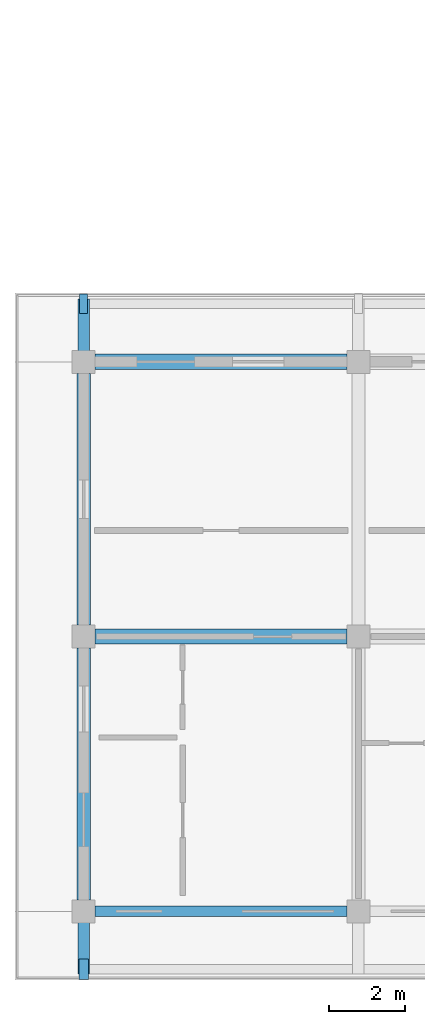
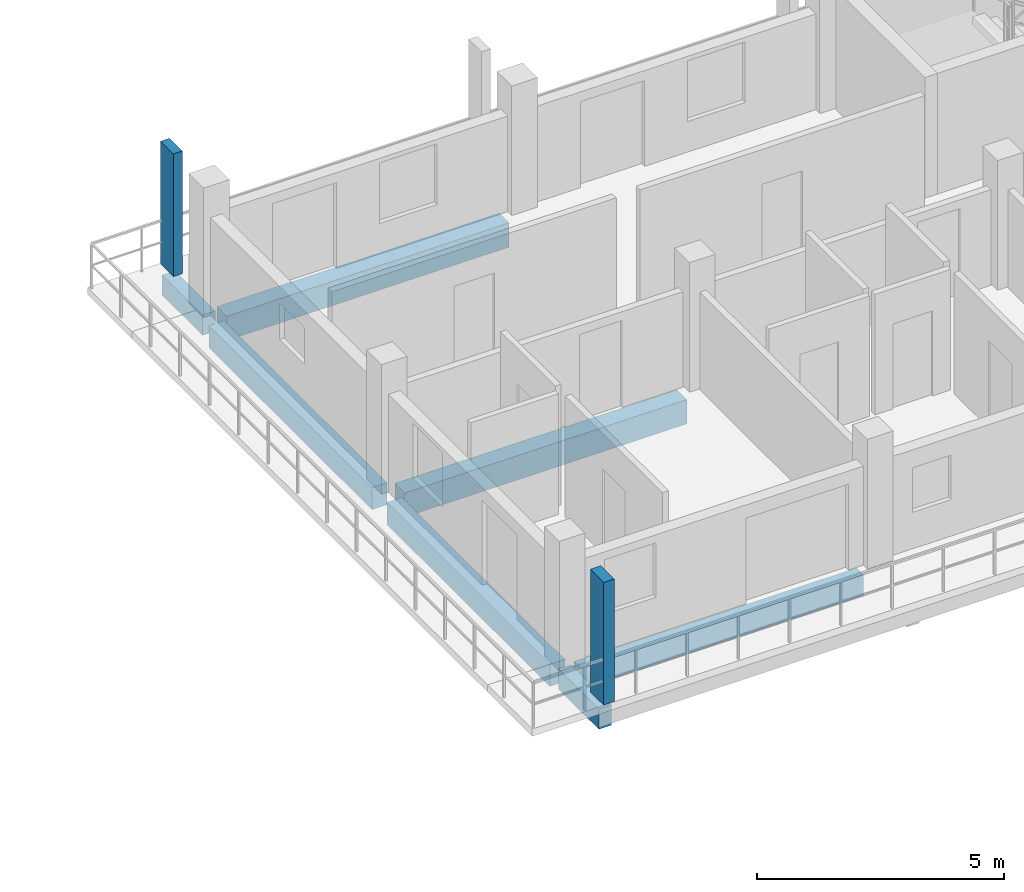
# One storey, part 8 of 76: 7 beams, 2 members.
"""IFC4 building model written with IfcOpenShell, lengths in metres."""

from ifc_helpers import new_model, si_unit, direction, frame, origin, origin_2d, place, context, subcontext, project, spatial, rectangle, extrude, material, material_profile, profile_set, type_object, element, save


model = new_model("IFC4")

# Units and contexts
model_context = context("Model", 3, precision=1e-05, world=origin(), true_north=direction((0.0, 1.0)))
body_context = subcontext(model_context, "Body", "Model", "MODEL_VIEW")
ifc_project = project(units=[si_unit("LENGTHUNIT", "METRE"), si_unit("AREAUNIT", "SQUARE_METRE"), si_unit("VOLUMEUNIT", "CUBIC_METRE"), si_unit("PLANEANGLEUNIT", "RADIAN"), si_unit("MASSUNIT", "GRAM", prefix="KILO")], contexts=[model_context])

# Site, building, storey
site_placement = place(None, origin())
site = spatial("IfcSite", under=ifc_project, at=site_placement, CompositionType="ELEMENT")
building_placement = place(site_placement, origin())
building = spatial("IfcBuilding", under=site, at=building_placement, Name="Suanplinth Sawtooth Commons", CompositionType="ELEMENT")
storey_placement = place(building_placement, frame((0.0, 0.0, 12.199951171875)))
storey = spatial("IfcBuildingStorey", under=building, at=storey_placement, Name="L03", CompositionType="ELEMENT", Elevation=12.199951171875)

# Beams
ifc_material_1 = material(Name="Precast concrete C40/50", Category="concrete")
ifc_material_profile_1 = material_profile(ifc_material_1, rectangle(XDim=0.39990234375, YDim=0.60009765625, at=origin_2d()), Name="PC-GDR 400x600")
ifc_profile_set_1 = profile_set([ifc_material_profile_1], Name="Precast concrete C40/50")
beam_type_1 = type_object("IfcBeamType", Name="B-05", PredefinedType="USERDEFINED", material=ifc_profile_set_1)
for number, where, z_axis, x_axis, name in (
    (1, (122.699951171875, 7.199951171875, -0.5400390625), (1.0, 0.0, 0.0), (0.0, 1.0, 0.0), "BMX-L03-C-17-1"),
    (2, (122.699951171875, 14.39990234375, -0.5400390625), (1.0, 0.0, 0.0), (0.0, 1.0, 0.0), "BMX-L03-C-17-2"),
):
    element("IfcBeam", number, at=place(storey_placement, frame(where, z_axis=z_axis, x_axis=x_axis)), inside=storey, type_object=beam_type_1, Name=name, ObjectType="GIRDER", PredefinedType="USERDEFINED", context=body_context, shape_type="SweptSolid", body=[
        extrude(rectangle(XDim=0.39990234375, YDim=0.60009765625, at=origin_2d()), origin(), (0.0, 0.0, 1.0), 6.60009765625),
    ])
ifc_material_profile_2 = material_profile(ifc_material_1, rectangle(XDim=0.35009765625, YDim=0.550048828125, at=origin_2d()), Name="PC-BM 350x550")
ifc_profile_set_2 = profile_set([ifc_material_profile_2], Name="Precast concrete C40/50")
beam_type_2 = type_object("IfcBeamType", Name="B-06", PredefinedType="BEAM", material=ifc_profile_set_2)
beam_1_placement = place(storey_placement, frame((122.39990234375, 0.300048828125, -0.514892578125), z_axis=(0.0, 1.0, 0.0), x_axis=(-1.0, 0.0, 0.0)))
element("IfcBeam", 3, at=beam_1_placement, inside=storey, type_object=beam_type_2, Name="BMY-L03-C-17-0", PredefinedType="BEAM", context=body_context, shape_type="SweptSolid", body=[
    extrude(rectangle(XDim=0.35009765625, YDim=0.550048828125, at=origin_2d()), origin(), (0.0, 0.0, 1.0), 6.599853515625),
])
beam_2_placement = place(storey_placement, frame((122.39990234375, 7.5, -0.514892578125), z_axis=(0.0, 1.0, 0.0), x_axis=(-1.0, 0.0, 0.0)))
element("IfcBeam", 4, at=beam_2_placement, inside=storey, type_object=beam_type_2, Name="BMY-L03-C-17-1", PredefinedType="BEAM", context=body_context, shape_type="SweptSolid", body=[
    extrude(rectangle(XDim=0.35009765625, YDim=0.550048828125, at=origin_2d()), origin(), (0.0, 0.0, 1.0), 6.60009765625),
])
ifc_material_profile_3 = material_profile(ifc_material_1, rectangle(XDim=0.300048828125, YDim=0.5, at=origin_2d()), Name="PC-BM 300x500")
ifc_profile_set_3 = profile_set([ifc_material_profile_3], Name="Precast concrete C40/50")
beam_type_3 = type_object("IfcBeamType", Name="B-07", PredefinedType="BEAM", material=ifc_profile_set_3)
beam_3_placement = place(storey_placement, frame((122.39990234375, 0.0, -0.429931640625), z_axis=(0.0, -1.0, 0.0), x_axis=(1.0, 0.0, 0.0)))
element("IfcBeam", 5, at=beam_3_placement, inside=storey, type_object=beam_type_3, Name="Balcony Outrigger L03-C-S-17", PredefinedType="BEAM", context=body_context, shape_type="SweptSolid", body=[
    extrude(rectangle(XDim=0.300048828125, YDim=0.5, at=origin_2d()), origin(), (0.0, 0.0, 1.0), 1.639892578125),
])
beam_4_placement = place(storey_placement, frame((122.39990234375, 14.39990234375, -0.425048828125), z_axis=(0.0, 1.0, 0.0), x_axis=(-1.0, 0.0, 0.0)))
element("IfcBeam", 6, at=beam_4_placement, inside=storey, type_object=beam_type_3, Name="Balcony Outrigger L03-C-NC-17", PredefinedType="BEAM", context=body_context, shape_type="SweptSolid", body=[
    extrude(rectangle(XDim=0.300048828125, YDim=0.5, at=origin_2d()), origin(), (0.0, 0.0, 1.0), 1.64013671875),
])
ifc_material_profile_4 = material_profile(ifc_material_1, rectangle(XDim=0.280029296875, YDim=0.52001953125, at=origin_2d()), Name="PC-SP 280x520")
ifc_profile_set_4 = profile_set([ifc_material_profile_4], Name="Precast concrete C40/50")
beam_type_4 = type_object("IfcBeamType", Name="B-08", PredefinedType="SPANDREL", material=ifc_profile_set_4)
beam_5_placement = place(storey_placement, frame((122.699951171875, 0.0, -0.5), z_axis=(1.0, 0.0, 0.0), x_axis=(0.0, 1.0, 0.0)))
element("IfcBeam", 7, at=beam_5_placement, inside=storey, type_object=beam_type_4, Name="BMX-L03-C-17-0", PredefinedType="SPANDREL", context=body_context, shape_type="SweptSolid", body=[
    extrude(rectangle(XDim=0.280029296875, YDim=0.52001953125, at=origin_2d()), origin(), (0.0, 0.0, 1.0), 6.60009765625),
])

# Members
ifc_material_2 = material(Name="Pigmented precast concrete C40/50", Category="concrete")
ifc_material_profile_5 = material_profile(ifc_material_2, rectangle(XDim=0.25, YDim=0.5400390625, at=origin_2d()), Name="PC-FIN 250x540")
ifc_profile_set_5 = profile_set([ifc_material_profile_5], Name="Pigmented precast concrete C40/50")
member_type_1 = type_object("IfcMemberType", Name="M-11", PredefinedType="USERDEFINED", material=ifc_profile_set_5)
member_1_placement = place(storey_placement, frame((122.39990234375, -1.52001953125, 0.0), z_axis=(0.0, 0.0, 1.0), x_axis=(1.0, 0.0, 0.0)))
element("IfcMember", 8, at=member_1_placement, inside=storey, type_object=member_type_1, Name="Upright Solar Blade L03-C-S-01", ObjectType="SHADING FIN", PredefinedType="USERDEFINED", context=body_context, shape_type="SweptSolid", body=[
    extrude(rectangle(XDim=0.25, YDim=0.5400390625, at=origin_2d()), origin(), (0.0, 0.0, 1.0), 3.030029296875),
])
ifc_material_profile_6 = material_profile(ifc_material_2, rectangle(XDim=0.2099609375, YDim=0.52001953125, at=origin_2d()), Name="PC-FIN 210x520")
ifc_profile_set_6 = profile_set([ifc_material_profile_6], Name="Pigmented precast concrete C40/50")
member_type_2 = type_object("IfcMemberType", Name="M-12", PredefinedType="USERDEFINED", material=ifc_profile_set_6)
member_2_placement = place(storey_placement, frame((122.39990234375, 15.919921875, 0.0), z_axis=(0.0, 0.0, 1.0), x_axis=(1.0, 0.0, 0.0)))
element("IfcMember", 9, at=member_2_placement, inside=storey, type_object=member_type_2, Name="Upright Solar Blade L03-C-NC-17", ObjectType="SHADING FIN", PredefinedType="USERDEFINED", context=body_context, shape_type="SweptSolid", body=[
    extrude(rectangle(XDim=0.2099609375, YDim=0.52001953125, at=origin_2d()), origin(), (0.0, 0.0, 1.0), 3.030029296875),
])

save(model, "model.ifc")
